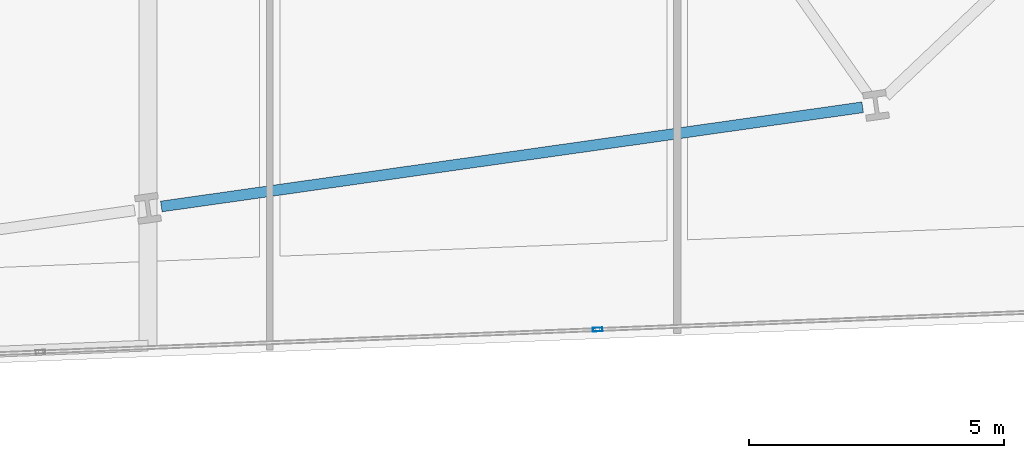
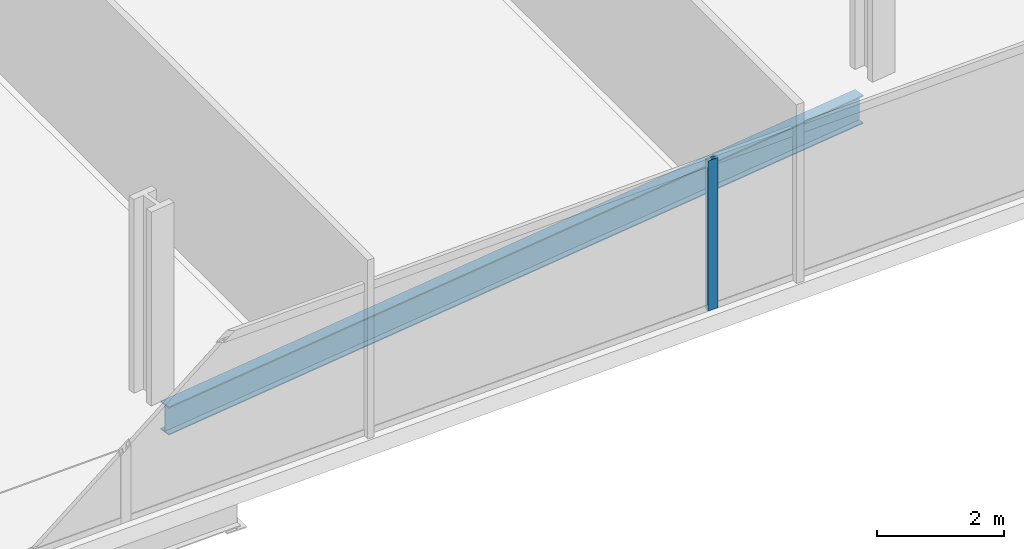
# One storey, part 9 of 32: 1 beam, 1 member, 1 element without a shape of its own.
"""IFC4 building model written with IfcOpenShell, lengths in metres."""

from ifc_helpers import new_model, si_unit, direction, frame, origin, origin_2d, place, context, subcontext, project, spatial, hollow_rectangle, i_section, extrude, material, material_profile, profile_set, type_object, element, aggregate, save


model = new_model("IFC4")

# Units and contexts
model_context = context("Model", 3, precision=1e-05, world=origin(), true_north=direction((0.0, 1.0)))
body_context = subcontext(model_context, "Body", "Model", "MODEL_VIEW")
ifc_project = project(units=[si_unit("LENGTHUNIT", "METRE"), si_unit("AREAUNIT", "SQUARE_METRE"), si_unit("VOLUMEUNIT", "CUBIC_METRE"), si_unit("PLANEANGLEUNIT", "RADIAN"), si_unit("MASSUNIT", "GRAM", prefix="KILO")], contexts=[model_context])

# Site, building, storey
site_placement = place(None, origin())
site = spatial("IfcSite", under=ifc_project, at=site_placement, CompositionType="ELEMENT")
building_placement = place(site_placement, origin())
building = spatial("IfcBuilding", under=site, at=building_placement, Name="Haldenkirk Collegiate Tower", CompositionType="ELEMENT")
storey_placement = place(building_placement, frame((0.0, 0.0, 36.449951171875)))
storey = spatial("IfcBuildingStorey", under=building, at=storey_placement, Name="L07", CompositionType="ELEMENT", Elevation=36.449951171875)

# Beam
ifc_material_1 = material(Name="Steel ASTM A992 Grade 50", Category="steel")
ifc_material_profile_1 = material_profile(ifc_material_1, i_section(OverallWidth=0.2119140625, OverallDepth=0.5439453125, WebThickness=0.01318359375, FlangeThickness=0.021240234375, at=origin_2d()), Name="W21X83")
ifc_profile_set_1 = profile_set([ifc_material_profile_1], Name="Steel ASTM A992 Grade 50")
beam_type = type_object("IfcBeamType", Name="BM-SPANDREL-W21X83", PredefinedType="SPANDREL", material=ifc_profile_set_1)
beam_placement = place(storey_placement, frame((39.37060546875, 4.055908203125, -0.58203125), z_axis=(0.990146197746, 0.14003752029, 0.0), x_axis=(-0.14003752029, 0.990146197746, 0.0)))
element("IfcBeam", 1, at=beam_placement, inside=storey, type_object=beam_type, Name="L07 perimeter spandrel beam 03", PredefinedType="SPANDREL", context=body_context, shape_type="SweptSolid", body=[
    extrude(i_section(OverallWidth=0.2119140625, OverallDepth=0.5439453125, WebThickness=0.01318359375, FlangeThickness=0.021240234375, at=origin_2d()), origin(), (0.0, 0.0, 1.0), 13.906982421875),
])

# Curtain wall, member
ifc_material_2 = material(Name="Anodised architectural bronze aluminium", Category="aluminium")
curtain_wall_type = type_object("IfcCurtainWallType", Name="CW-SYS2-CONCAVE", PredefinedType="USERDEFINED", material=ifc_material_2)
curtain_wall_placement = place(storey_placement, origin())
curtain_wall = element("IfcCurtainWall", 2, at=curtain_wall_placement, inside=storey, type_object=curtain_wall_type, Name="L07 South concave recessed bronze-anodised curtain wall", ObjectType="UNITISED CURTAIN WALL", PredefinedType="USERDEFINED")
ifc_material_profile_2 = material_profile(ifc_material_2, hollow_rectangle(XDim=0.074951171875, YDim=0.18994140625, WallThickness=0.0048828125, at=origin_2d()), Name="CW-MUL-02")
ifc_profile_set_2 = profile_set([ifc_material_profile_2], Name="Anodised architectural bronze aluminium")
member_type = type_object("IfcMemberType", Name="CW-MUL-02", PredefinedType="MULLION", material=ifc_profile_set_2)
member_placement = place(storey_placement, frame((47.937255859375, 1.639404296875, 0.0), z_axis=(0.0, 0.0, 1.0), x_axis=(0.040132523917, -0.999194365739, 0.0)))
member = element("IfcMember", 3, at=member_placement, type_object=member_type, Name="CW-02 mullion 2", PredefinedType="MULLION", context=body_context, shape_type="SweptSolid", body=[
    extrude(hollow_rectangle(XDim=0.074951171875, YDim=0.18994140625, WallThickness=0.0048828125, at=origin_2d()), origin(), (0.0, 0.0, 1.0), 2.89111328125),
])
aggregate(curtain_wall, [member])

save(model, "model.ifc")
